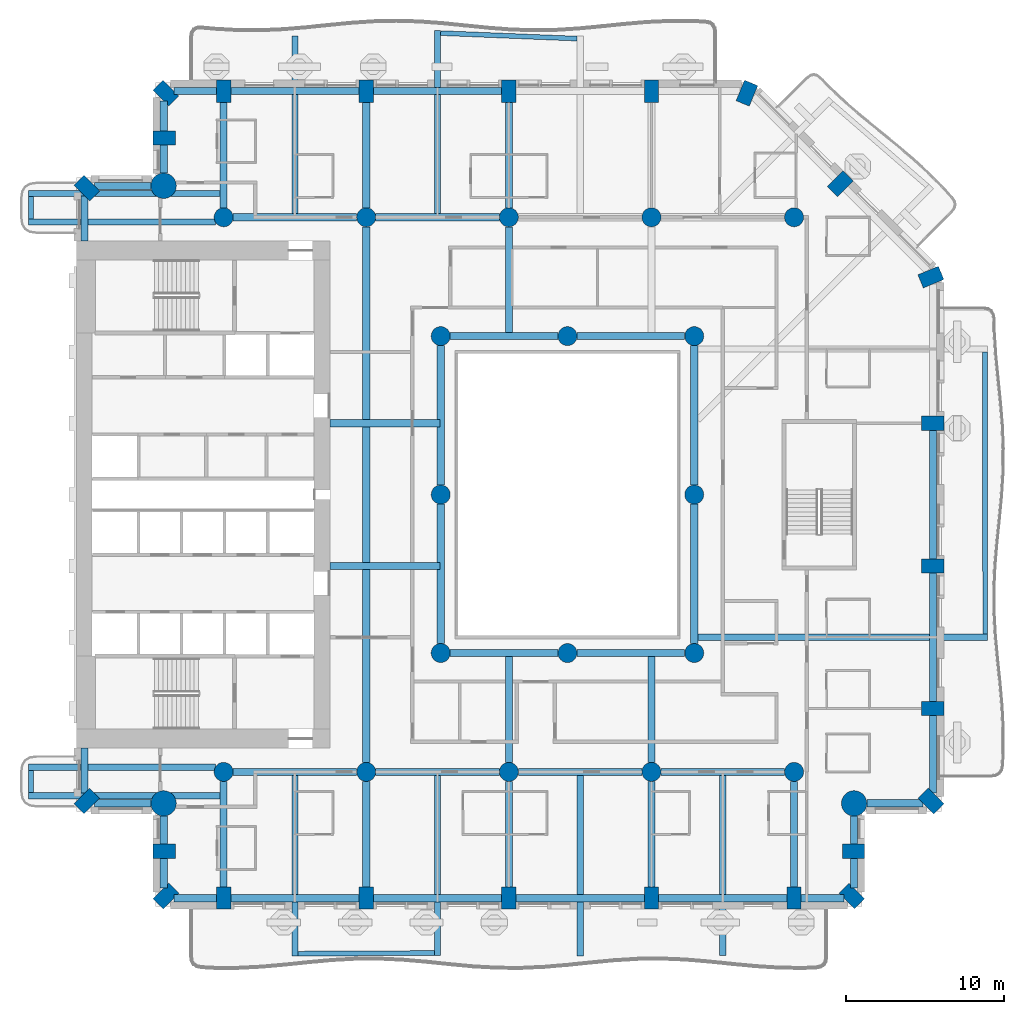
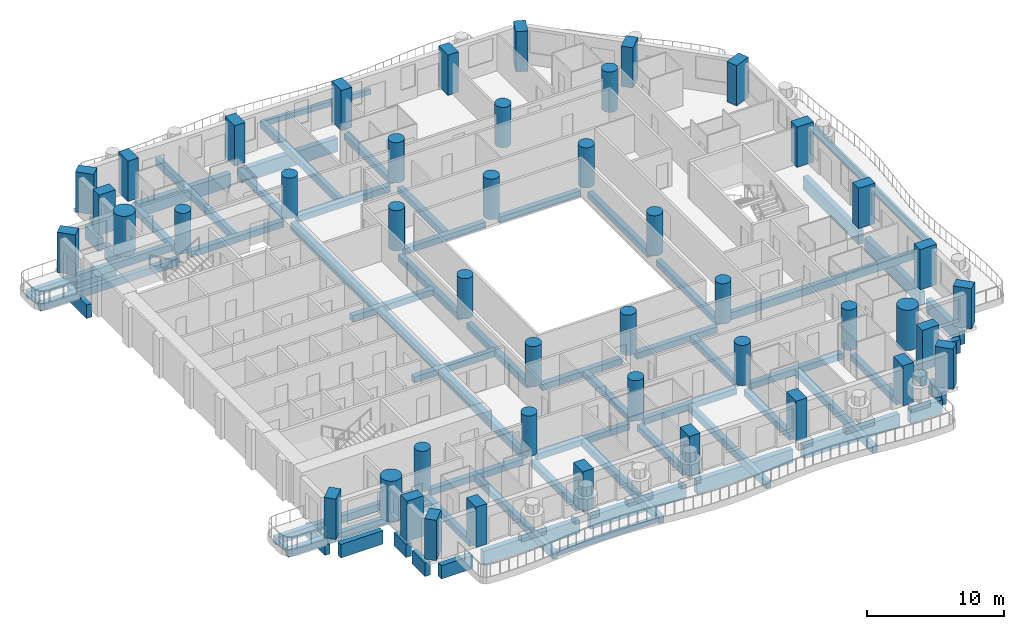
# One storey, part 1 of 20: 69 beams, 45 columns.
"""IFC4 building model written with IfcOpenShell, lengths in metres."""

from ifc_helpers import new_model, si_unit, direction, frame, origin, origin_2d, place, context, subcontext, project, spatial, rectangle, circle, extrude, material, material_profile, profile_set, type_object, element, save


model = new_model("IFC4")

# Units and contexts
model_context = context("Model", 3, precision=1e-05, world=origin(), true_north=direction((0.0, 1.0)))
body_context = subcontext(model_context, "Body", "Model", "MODEL_VIEW")
ifc_project = project(units=[si_unit("LENGTHUNIT", "METRE"), si_unit("AREAUNIT", "SQUARE_METRE"), si_unit("VOLUMEUNIT", "CUBIC_METRE"), si_unit("PLANEANGLEUNIT", "RADIAN"), si_unit("MASSUNIT", "GRAM", prefix="KILO")], contexts=[model_context])

# Site, building, storey
site_placement = place(None, origin())
site = spatial("IfcSite", under=ifc_project, at=site_placement, CompositionType="ELEMENT")
building_placement = place(site_placement, origin())
building = spatial("IfcBuilding", under=site, at=building_placement, Name="Cypress Arch Tower", CompositionType="ELEMENT")
storey_placement = place(building_placement, frame((0.0, 0.0, 95.10009765625)))
storey = spatial("IfcBuildingStorey", under=building, at=storey_placement, Name="L18", CompositionType="ELEMENT", Elevation=95.10009765625)

# Columns
ifc_material_1 = material(Name="Concrete C80/95", Category="concrete")
ifc_material_profile_1 = material_profile(ifc_material_1, rectangle(XDim=0.89990234375, YDim=1.39990234375, at=origin_2d()), Name="RC 900x1400")
ifc_profile_set_1 = profile_set([ifc_material_profile_1], Name="Concrete C80/95")
column_type_1 = type_object("IfcColumnType", Name="Column RC 900x1400 Concrete C80/95", PredefinedType="COLUMN", material=ifc_profile_set_1)
for number, where, z_axis, x_axis, name in (
    (1, (-29.3369140625, 19.3369140625, 0.0), (0.0, 0.0, 1.0), (-0.707106781187, -0.707106781187, 0.0), "Column L18 CA00"),
    (2, (-29.3369140625, -19.3369140625, 0.0), (0.0, 0.0, 1.0), (0.707106781187, -0.707106781187, 0.0), "Column L18 CA01"),
    (3, (-24.449951171875, -22.5, 0.0), (0.0, 0.0, 1.0), (0.0, -1.0, 0.0), "Column L18 CA03"),
    (4, (-24.3369140625, -25.3369140625, 0.0), (0.0, 0.0, 1.0), (0.707106781187, -0.707106781187, 0.0), "Column L18 CA04"),
    (5, (-20.699951171875, -25.449951171875, 0.0), (0.0, 0.0, 1.0), (1.0, 0.0, 0.0), "Column L18 CA05"),
    (6, (-11.699951171875, -25.449951171875, 0.0), (0.0, 0.0, 1.0), (1.0, 0.0, 0.0), "Column L18 CA06"),
    (7, (-2.699951171875, -25.449951171875, 0.0), (0.0, 0.0, 1.0), (1.0, 0.0, 0.0), "Column L18 CA07"),
    (8, (6.300048828125, -25.449951171875, 0.0), (0.0, 0.0, 1.0), (1.0, 0.0, 0.0), "Column L18 CA08"),
    (9, (15.300048828125, -25.449951171875, 0.0), (0.0, 0.0, 1.0), (1.0, 0.0, 0.0), "Column L18 CA09"),
    (10, (18.936767578125, -25.3369140625, 0.0), (0.0, 0.0, 1.0), (0.707106781187, 0.707106781187, 0.0), "Column L18 CA10"),
    (11, (19.050048828125, -22.5, 0.0), (0.0, 0.0, 1.0), (0.0, 1.0, 0.0), "Column L18 CA11"),
    (12, (23.936767578125, -19.3369140625, 0.0), (0.0, 0.0, 1.0), (0.707106781187, 0.707106781187, 0.0), "Column L18 CA13"),
    (13, (24.050048828125, -13.5, 0.0), (0.0, 0.0, 1.0), (0.0, 1.0, 0.0), "Column L18 CA14"),
    (14, (24.050048828125, -4.5, 0.0), (0.0, 0.0, 1.0), (0.0, 1.0, 0.0), "Column L18 CA15"),
    (15, (24.050048828125, 4.5, 0.0), (0.0, 0.0, 1.0), (0.0, 1.0, 0.0), "Column L18 CA16"),
    (16, (23.93115234375, 13.722900390625, 0.0), (0.0, 0.0, 1.0), (-0.382683496864, 0.923879505795, 0.0), "Column L18 CA17"),
    (17, (18.211181640625, 19.611083984375, 0.0), (0.0, 0.0, 1.0), (-0.707106781187, 0.707106781187, 0.0), "Column L18 CA18"),
    (18, (12.322998046875, 25.3310546875, 0.0), (0.0, 0.0, 1.0), (-0.923879505795, 0.382683496864, 0.0), "Column L18 CA19"),
    (19, (6.300048828125, 25.449951171875, 0.0), (0.0, 0.0, 1.0), (-1.0, 0.0, 0.0), "Column L18 CA20"),
    (20, (-2.699951171875, 25.449951171875, 0.0), (0.0, 0.0, 1.0), (-1.0, 0.0, 0.0), "Column L18 CA21"),
    (21, (-11.699951171875, 25.449951171875, 0.0), (0.0, 0.0, 1.0), (-1.0, 0.0, 0.0), "Column L18 CA22"),
    (22, (-20.699951171875, 25.449951171875, 0.0), (0.0, 0.0, 1.0), (-1.0, 0.0, 0.0), "Column L18 CA23"),
    (23, (-24.3369140625, 25.3369140625, 0.0), (0.0, 0.0, 1.0), (-0.707106781187, -0.707106781187, 0.0), "Column L18 CA24"),
    (24, (-24.449951171875, 22.5, 0.0), (0.0, 0.0, 1.0), (0.0, -1.0, 0.0), "Column L18 CA25"),
):
    element("IfcColumn", number, at=place(storey_placement, frame(where, z_axis=z_axis, x_axis=x_axis)), inside=storey, type_object=column_type_1, Name=name, PredefinedType="COLUMN", context=body_context, shape_type="SweptSolid", body=[
        extrude(rectangle(XDim=0.89990234375, YDim=1.39990234375, at=origin_2d()), origin(), (0.0, 0.0, 1.0), 3.599853515625),
    ])
ifc_material_2 = material(Name="Concrete C80/95", Category="concrete")
ifc_material_profile_2 = material_profile(ifc_material_2, circle(Radius=0.60009765625, at=origin_2d()), Name="RC D1200")
ifc_profile_set_2 = profile_set([ifc_material_profile_2], Name="Concrete C80/95")
column_type_2 = type_object("IfcColumnType", Name="Column RC D1200 Concrete C80/95", PredefinedType="COLUMN", material=ifc_profile_set_2)
for number, where, z_axis, x_axis, name in (
    (25, (-20.699951171875, -17.5, 0.0), (0.0, 0.0, 1.0), (1.0, 0.0, 0.0), "Column L18 CIC-L18-CI3S"),
    (26, (-11.699951171875, -17.5, 0.0), (0.0, 0.0, 1.0), (1.0, 0.0, 0.0), "Column L18 CIC-L18-CI4S"),
    (27, (-2.699951171875, -17.5, 0.0), (0.0, 0.0, 1.0), (1.0, 0.0, 0.0), "Column L18 CIC-L18-CI5S"),
    (28, (6.300048828125, -17.5, 0.0), (0.0, 0.0, 1.0), (1.0, 0.0, 0.0), "Column L18 CIC-L18-CI6S"),
    (29, (15.300048828125, -17.5, 0.0), (0.0, 0.0, 1.0), (1.0, 0.0, 0.0), "Column L18 CIC-L18-CI7S"),
    (30, (-20.699951171875, 17.5, 0.0), (0.0, 0.0, 1.0), (1.0, 0.0, 0.0), "Column L18 CIC-L18-CI3N"),
    (31, (-11.699951171875, 17.5, 0.0), (0.0, 0.0, 1.0), (1.0, 0.0, 0.0), "Column L18 CIC-L18-CI4N"),
    (32, (-2.699951171875, 17.5, 0.0), (0.0, 0.0, 1.0), (1.0, 0.0, 0.0), "Column L18 CIC-L18-CI5N"),
    (33, (6.300048828125, 17.5, 0.0), (0.0, 0.0, 1.0), (1.0, 0.0, 0.0), "Column L18 CIC-L18-CI6N"),
    (34, (15.300048828125, 17.5, 0.0), (0.0, 0.0, 1.0), (1.0, 0.0, 0.0), "Column L18 CIC-L18-CI7N"),
    (35, (-7.0, -10.0, 0.0), (0.0, 0.0, 1.0), (1.0, 0.0, 0.0), "Column L18 RNG-L18-G-7-10"),
    (36, (-7.0, 0.0, 0.0), (0.0, 0.0, 1.0), (1.0, 0.0, 0.0), "Column L18 RNG-L18-G-7+0"),
    (37, (-7.0, 10.0, 0.0), (0.0, 0.0, 1.0), (1.0, 0.0, 0.0), "Column L18 RNG-L18-G-7+10"),
    (38, (1.0, -10.0, 0.0), (0.0, 0.0, 1.0), (1.0, 0.0, 0.0), "Column L18 RNG-L18-G+1-10"),
    (39, (1.0, 10.0, 0.0), (0.0, 0.0, 1.0), (1.0, 0.0, 0.0), "Column L18 RNG-L18-G+1+10"),
    (40, (9.0, -10.0, 0.0), (0.0, 0.0, 1.0), (1.0, 0.0, 0.0), "Column L18 RNG-L18-G+9-10"),
    (41, (9.0, 0.0, 0.0), (0.0, 0.0, 1.0), (1.0, 0.0, 0.0), "Column L18 RNG-L18-G+9+0"),
    (42, (9.0, 10.0, 0.0), (0.0, 0.0, 1.0), (1.0, 0.0, 0.0), "Column L18 RNG-L18-G+9+10"),
):
    element("IfcColumn", number, at=place(storey_placement, frame(where, z_axis=z_axis, x_axis=x_axis)), inside=storey, type_object=column_type_2, Name=name, PredefinedType="COLUMN", context=body_context, shape_type="SweptSolid", body=[
        extrude(circle(Radius=0.60009765625, at=origin_2d()), origin(), (0.0, 0.0, 1.0), 3.599853515625),
    ])
ifc_material_3 = material(Name="Concrete C80/95", Category="concrete")
ifc_material_profile_3 = material_profile(ifc_material_3, circle(Radius=0.800048828125, at=origin_2d()), Name="RC D1600")
ifc_profile_set_3 = profile_set([ifc_material_profile_3], Name="Concrete C80/95")
column_type_3 = type_object("IfcColumnType", Name="Mega-column RC D1600 Concrete C80/95", PredefinedType="COLUMN", material=ifc_profile_set_3)
for number, where, z_axis, x_axis, name in (
    (43, (-24.48779296875, -19.48779296875, 0.0), (0.0, 0.0, 1.0), (1.0, 0.0, 0.0), "Column L18 CA02"),
    (44, (19.087890625, -19.48779296875, 0.0), (0.0, 0.0, 1.0), (1.0, 0.0, 0.0), "Column L18 CA12"),
    (45, (-24.48779296875, 19.48779296875, 0.0), (0.0, 0.0, 1.0), (1.0, 0.0, 0.0), "Column L18 CA26"),
):
    element("IfcColumn", number, at=place(storey_placement, frame(where, z_axis=z_axis, x_axis=x_axis)), inside=storey, type_object=column_type_3, Name=name, PredefinedType="COLUMN", context=body_context, shape_type="SweptSolid", body=[
        extrude(circle(Radius=0.800048828125, at=origin_2d()), origin(), (0.0, 0.0, 1.0), 3.599853515625),
    ])

# Beams
ifc_material_4 = material(Name="Concrete C50/60", Category="concrete")
ifc_material_profile_4 = material_profile(ifc_material_4, rectangle(XDim=0.300048828125, YDim=0.449951171875, at=origin_2d()), Name="RC 300x450")
ifc_profile_set_4 = profile_set([ifc_material_profile_4], Name="Concrete C50/60")
beam_type_1 = type_object("IfcBeamType", Name="Balcony edge beam RC 300x450 Concrete C50/60", PredefinedType="BEAM", material=ifc_profile_set_4)
beam_1_placement = place(storey_placement, frame((-16.0, -28.970458984375, -0.525146484375), z_axis=(0.999988762519, 0.004740763168, 0.0), x_axis=(-0.004740763168, 0.999988762519, 0.0)))
element("IfcBeam", 46, at=beam_1_placement, inside=storey, type_object=beam_type_1, Name="Balcony edge beam L18 A03", PredefinedType="BEAM", context=body_context, shape_type="SweptSolid", body=[
    extrude(rectangle(XDim=0.300048828125, YDim=0.449951171875, at=origin_2d()), origin(), (0.0, 0.0, 1.0), 8.60009765625),
])
beam_2_placement = place(storey_placement, frame((1.60009765625, 28.774658203125, -0.525146484375), z_axis=(-0.99918392243, 0.040391696631, 0.0), x_axis=(-0.040391696631, -0.99918392243, 0.0)))
element("IfcBeam", 47, at=beam_2_placement, inside=storey, type_object=beam_type_1, Name="Balcony edge beam L18 A08", PredefinedType="BEAM", context=body_context, shape_type="SweptSolid", body=[
    extrude(rectangle(XDim=0.300048828125, YDim=0.449951171875, at=origin_2d()), origin(), (0.0, 0.0, 1.0), 8.607177734375),
])
ifc_material_5 = material(Name="Concrete C50/60", Category="concrete")
ifc_material_profile_5 = material_profile(ifc_material_5, rectangle(XDim=0.300048828125, YDim=0.64990234375, at=origin_2d()), Name="RC 300x650")
ifc_profile_set_5 = profile_set([ifc_material_profile_5], Name="Concrete C50/60")
beam_type_2 = type_object("IfcBeamType", Name="Balcony edge beam RC 300x650 Concrete C50/60", PredefinedType="BEAM", material=ifc_profile_set_5)
beam_3_placement = place(storey_placement, frame((27.3583984375, -8.800048828125, -0.625), z_axis=(-0.000576455798, 0.999999833849, 0.0), x_axis=(-0.999999833849, -0.000576455798, 0.0)))
element("IfcBeam", 48, at=beam_3_placement, inside=storey, type_object=beam_type_2, Name="Balcony edge beam L18 A06", PredefinedType="BEAM", context=body_context, shape_type="SweptSolid", body=[
    extrude(rectangle(XDim=0.300048828125, YDim=0.64990234375, at=origin_2d()), origin(), (0.0, 0.0, 1.0), 17.787841796875),
])
ifc_material_6 = material(Name="Concrete C50/60", Category="concrete")
ifc_material_profile_6 = material_profile(ifc_material_6, rectangle(XDim=0.300048828125, YDim=0.39990234375, at=origin_2d()), Name="RC 300x400")
ifc_profile_set_6 = profile_set([ifc_material_profile_6], Name="Concrete C50/60")
beam_type_3 = type_object("IfcBeamType", Name="Balcony stub beam RC 300x400 Concrete C50/60", PredefinedType="BEAM", material=ifc_profile_set_6)
for number, where, z_axis, x_axis, name in (
    (49, (-32.85009765625, 18.800048828125, -0.5), (0.0, -1.0, 0.0), (1.0, 0.0, 0.0), "Balcony stub beam L18 A00W0"),
    (50, (-32.85009765625, -17.39990234375, -0.5), (0.0, -1.0, 0.0), (1.0, 0.0, 0.0), "Balcony stub beam L18 A00W1"),
):
    element("IfcBeam", number, at=place(storey_placement, frame(where, z_axis=z_axis, x_axis=x_axis)), inside=storey, type_object=beam_type_3, Name=name, PredefinedType="BEAM", context=body_context, shape_type="SweptSolid", body=[
        extrude(rectangle(XDim=0.300048828125, YDim=0.39990234375, at=origin_2d()), origin(), (0.0, 0.0, 1.0), 1.400146484375),
    ])
ifc_material_7 = material(Name="Concrete C50/60", Category="concrete")
ifc_material_profile_7 = material_profile(ifc_material_7, rectangle(XDim=0.39990234375, YDim=0.64990234375, at=origin_2d()), Name="RC 400x650")
ifc_profile_set_7 = profile_set([ifc_material_profile_7], Name="Concrete C50/60")
beam_type_4 = type_object("IfcBeamType", Name="Cantilever beam RC 400x650 Concrete C50/60", PredefinedType="BEAM", material=ifc_profile_set_7)
beam_4_placement = place(storey_placement, frame((-20.925048828125, 19.0, -0.625), z_axis=(-1.0, 0.0, 0.0), x_axis=(0.0, -1.0, 0.0)))
element("IfcBeam", 51, at=beam_4_placement, inside=storey, type_object=beam_type_4, Name="Cantilever beam L18 A00 1", PredefinedType="BEAM", context=body_context, shape_type="SweptSolid", body=[
    extrude(rectangle(XDim=0.39990234375, YDim=0.64990234375, at=origin_2d()), origin(), (0.0, 0.0, 1.0), 12.074951171875),
])
for number, where, z_axis, x_axis, name in (
    (52, (-21.219482421875, 17.199951171875, -0.625), (-1.0, 0.0, 0.0), (0.0, -1.0, 0.0), "Cantilever beam L18 A00 2"),
    (53, (-21.219482421875, -17.199951171875, -0.625), (-1.0, 0.0, 0.0), (0.0, -1.0, 0.0), "Cantilever beam L18 A00 1"),
):
    element("IfcBeam", number, at=place(storey_placement, frame(where, z_axis=z_axis, x_axis=x_axis)), inside=storey, type_object=beam_type_4, Name=name, PredefinedType="BEAM", context=body_context, shape_type="SweptSolid", body=[
        extrude(rectangle(XDim=0.39990234375, YDim=0.64990234375, at=origin_2d()), origin(), (0.0, 0.0, 1.0), 11.780517578125),
    ])
beam_5_placement = place(storey_placement, frame((-20.925048828125, -19.0, -0.625), z_axis=(-1.0, 0.0, 0.0), x_axis=(0.0, -1.0, 0.0)))
element("IfcBeam", 54, at=beam_5_placement, inside=storey, type_object=beam_type_4, Name="Cantilever beam L18 A00 2", PredefinedType="BEAM", context=body_context, shape_type="SweptSolid", body=[
    extrude(rectangle(XDim=0.39990234375, YDim=0.64990234375, at=origin_2d()), origin(), (0.0, 0.0, 1.0), 12.074951171875),
])
beam_6_placement = place(storey_placement, frame((-16.199951171875, -17.72509765625, -0.625), z_axis=(0.0, -1.0, 0.0), x_axis=(1.0, 0.0, 0.0)))
element("IfcBeam", 55, at=beam_6_placement, inside=storey, type_object=beam_type_4, Name="Cantilever beam L18 A03 1", PredefinedType="BEAM", context=body_context, shape_type="SweptSolid", body=[
    extrude(rectangle(XDim=0.39990234375, YDim=0.64990234375, at=origin_2d()), origin(), (0.0, 0.0, 1.0), 11.3955078125),
])
beam_7_placement = place(storey_placement, frame((-7.199951171875, -17.72509765625, -0.625), z_axis=(0.0, -1.0, 0.0), x_axis=(1.0, 0.0, 0.0)))
element("IfcBeam", 56, at=beam_7_placement, inside=storey, type_object=beam_type_4, Name="Cantilever beam L18 A03 2", PredefinedType="BEAM", context=body_context, shape_type="SweptSolid", body=[
    extrude(rectangle(XDim=0.39990234375, YDim=0.64990234375, at=origin_2d()), origin(), (0.0, 0.0, 1.0), 11.3544921875),
])
beam_8_placement = place(storey_placement, frame((1.800048828125, -17.72509765625, -0.625), z_axis=(0.0, -1.0, 0.0), x_axis=(1.0, 0.0, 0.0)))
element("IfcBeam", 57, at=beam_8_placement, inside=storey, type_object=beam_type_4, Name="Cantilever beam L18 A03 3", PredefinedType="BEAM", context=body_context, shape_type="SweptSolid", body=[
    extrude(rectangle(XDim=0.39990234375, YDim=0.64990234375, at=origin_2d()), origin(), (0.0, 0.0, 1.0), 11.39501953125),
])
beam_9_placement = place(storey_placement, frame((10.800048828125, -17.72509765625, -0.625), z_axis=(0.0, -1.0, 0.0), x_axis=(1.0, 0.0, 0.0)))
element("IfcBeam", 58, at=beam_9_placement, inside=storey, type_object=beam_type_4, Name="Cantilever beam L18 A03 4", PredefinedType="BEAM", context=body_context, shape_type="SweptSolid", body=[
    extrude(rectangle(XDim=0.39990234375, YDim=0.64990234375, at=origin_2d()), origin(), (0.0, 0.0, 1.0), 11.35498046875),
])
beam_10_placement = place(storey_placement, frame((9.22509765625, -9.0, -0.625), z_axis=(1.0, 0.0, 0.0), x_axis=(0.0, 1.0, 0.0)))
element("IfcBeam", 59, at=beam_10_placement, inside=storey, type_object=beam_type_4, Name="Cantilever beam L18 A06 1", PredefinedType="BEAM", context=body_context, shape_type="SweptSolid", body=[
    extrude(rectangle(XDim=0.39990234375, YDim=0.64990234375, at=origin_2d()), origin(), (0.0, 0.0, 1.0), 18.283447265625),
])
beam_11_placement = place(storey_placement, frame((-7.199951171875, 17.72509765625, -0.625), z_axis=(0.0, 1.0, 0.0), x_axis=(-1.0, 0.0, 0.0)))
element("IfcBeam", 60, at=beam_11_placement, inside=storey, type_object=beam_type_4, Name="Cantilever beam L18 A08 2", PredefinedType="BEAM", context=body_context, shape_type="SweptSolid", body=[
    extrude(rectangle(XDim=0.39990234375, YDim=0.64990234375, at=origin_2d()), origin(), (0.0, 0.0, 1.0), 11.54736328125),
])
beam_12_placement = place(storey_placement, frame((-16.199951171875, 17.72509765625, -0.625), z_axis=(0.0, 1.0, 0.0), x_axis=(-1.0, 0.0, 0.0)))
element("IfcBeam", 61, at=beam_12_placement, inside=storey, type_object=beam_type_4, Name="Cantilever beam L18 A08 3", PredefinedType="BEAM", context=body_context, shape_type="SweptSolid", body=[
    extrude(rectangle(XDim=0.39990234375, YDim=0.64990234375, at=origin_2d()), origin(), (0.0, 0.0, 1.0), 11.2041015625),
])
ifc_material_8 = material(Name="Concrete C50/60", Category="concrete")
ifc_material_profile_8 = material_profile(ifc_material_8, rectangle(XDim=0.449951171875, YDim=0.550048828125, at=origin_2d()), Name="RC 450x550")
ifc_profile_set_8 = profile_set([ifc_material_profile_8], Name="Concrete C50/60")
beam_type_5 = type_object("IfcBeamType", Name="Floor beam RC 450x550 Concrete C50/60", PredefinedType="BEAM", material=ifc_profile_set_8)
for number, where, z_axis, x_axis, name in (
    (62, (-7.0, -9.39990234375, -0.5751953125), (0.0, 1.0, 0.0), (-1.0, 0.0, 0.0), "Floor beam L18 RB001"),
    (63, (-7.0, 0.60009765625, -0.5751953125), (0.0, 1.0, 0.0), (-1.0, 0.0, 0.0), "Floor beam L18 RB002"),
    (64, (9.0, -9.39990234375, -0.5751953125), (0.0, 1.0, 0.0), (-1.0, 0.0, 0.0), "Floor beam L18 RB003"),
    (65, (9.0, 0.60009765625, -0.5751953125), (0.0, 1.0, 0.0), (-1.0, 0.0, 0.0), "Floor beam L18 RB004"),
):
    element("IfcBeam", number, at=place(storey_placement, frame(where, z_axis=z_axis, x_axis=x_axis)), inside=storey, type_object=beam_type_5, Name=name, PredefinedType="BEAM", context=body_context, shape_type="SweptSolid", body=[
        extrude(rectangle(XDim=0.449951171875, YDim=0.550048828125, at=origin_2d()), origin(), (0.0, 0.0, 1.0), 8.7998046875),
    ])
for number, where, z_axis, x_axis, name in (
    (66, (-6.39990234375, -10.0, -0.5751953125), (1.0, 0.0, 0.0), (0.0, 1.0, 0.0), "Floor beam L18 RB005"),
    (67, (1.60009765625, -10.0, -0.5751953125), (1.0, 0.0, 0.0), (0.0, 1.0, 0.0), "Floor beam L18 RB006"),
    (68, (-6.39990234375, 10.0, -0.5751953125), (1.0, 0.0, 0.0), (0.0, 1.0, 0.0), "Floor beam L18 RB007"),
    (69, (1.60009765625, 10.0, -0.5751953125), (1.0, 0.0, 0.0), (0.0, 1.0, 0.0), "Floor beam L18 RB008"),
):
    element("IfcBeam", number, at=place(storey_placement, frame(where, z_axis=z_axis, x_axis=x_axis)), inside=storey, type_object=beam_type_5, Name=name, PredefinedType="BEAM", context=body_context, shape_type="SweptSolid", body=[
        extrude(rectangle(XDim=0.449951171875, YDim=0.550048828125, at=origin_2d()), origin(), (0.0, 0.0, 1.0), 6.7998046875),
    ])
for number, where, z_axis, x_axis, name in (
    (70, (-20.10009765625, -17.5, -0.5751953125), (1.0, 0.0, 0.0), (0.0, 1.0, 0.0), "Floor beam L18 FB009"),
    (71, (-11.10009765625, -17.5, -0.5751953125), (1.0, 0.0, 0.0), (0.0, 1.0, 0.0), "Floor beam L18 FB010"),
    (72, (-2.10009765625, -17.5, -0.5751953125), (1.0, 0.0, 0.0), (0.0, 1.0, 0.0), "Floor beam L18 FB011"),
    (73, (6.89990234375, -17.5, -0.5751953125), (1.0, 0.0, 0.0), (0.0, 1.0, 0.0), "Floor beam L18 FB012"),
):
    element("IfcBeam", number, at=place(storey_placement, frame(where, z_axis=z_axis, x_axis=x_axis)), inside=storey, type_object=beam_type_5, Name=name, PredefinedType="BEAM", context=body_context, shape_type="SweptSolid", body=[
        extrude(rectangle(XDim=0.449951171875, YDim=0.550048828125, at=origin_2d()), origin(), (0.0, 0.0, 1.0), 7.800048828125),
    ])
for number, where, z_axis, x_axis, name in (
    (74, (-14.0, -4.5, -0.5751953125), (1.0, 0.0, 0.0), (0.0, 1.0, 0.0), "Floor beam L18 FB013"),
    (75, (-14.0, 4.5, -0.5751953125), (1.0, 0.0, 0.0), (0.0, 1.0, 0.0), "Floor beam L18 FB014"),
):
    element("IfcBeam", number, at=place(storey_placement, frame(where, z_axis=z_axis, x_axis=x_axis)), inside=storey, type_object=beam_type_5, Name=name, PredefinedType="BEAM", context=body_context, shape_type="SweptSolid", body=[
        extrude(rectangle(XDim=0.449951171875, YDim=0.550048828125, at=origin_2d()), origin(), (0.0, 0.0, 1.0), 6.949951171875),
    ])
for number, where, z_axis, x_axis, name in (
    (76, (-20.10009765625, 17.5, -0.5751953125), (1.0, 0.0, 0.0), (0.0, 1.0, 0.0), "Floor beam L18 FB015"),
    (77, (-11.10009765625, 17.5, -0.5751953125), (1.0, 0.0, 0.0), (0.0, 1.0, 0.0), "Floor beam L18 FB016"),
):
    element("IfcBeam", number, at=place(storey_placement, frame(where, z_axis=z_axis, x_axis=x_axis)), inside=storey, type_object=beam_type_5, Name=name, PredefinedType="BEAM", context=body_context, shape_type="SweptSolid", body=[
        extrude(rectangle(XDim=0.449951171875, YDim=0.550048828125, at=origin_2d()), origin(), (0.0, 0.0, 1.0), 7.800048828125),
    ])
for number, where, z_axis, x_axis, name in (
    (78, (-20.699951171875, -24.75, -0.5751953125), (0.0, 1.0, 0.0), (-1.0, 0.0, 0.0), "Floor beam L18 FB019"),
    (79, (-20.699951171875, 18.10009765625, -0.5751953125), (0.0, 1.0, 0.0), (-1.0, 0.0, 0.0), "Floor beam L18 FB020"),
    (80, (-11.699951171875, -24.75, -0.5751953125), (0.0, 1.0, 0.0), (-1.0, 0.0, 0.0), "Floor beam L18 FB021"),
):
    element("IfcBeam", number, at=place(storey_placement, frame(where, z_axis=z_axis, x_axis=x_axis)), inside=storey, type_object=beam_type_5, Name=name, PredefinedType="BEAM", context=body_context, shape_type="SweptSolid", body=[
        extrude(rectangle(XDim=0.449951171875, YDim=0.550048828125, at=origin_2d()), origin(), (0.0, 0.0, 1.0), 6.64990234375),
    ])
beam_13_placement = place(storey_placement, frame((-11.699951171875, -4.27490234375, -0.5751953125), z_axis=(0.0, 1.0, 0.0), x_axis=(-1.0, 0.0, 0.0)))
element("IfcBeam", 81, at=beam_13_placement, inside=storey, type_object=beam_type_5, Name="Floor beam L18 FB023", PredefinedType="BEAM", context=body_context, shape_type="SweptSolid", body=[
    extrude(rectangle(XDim=0.449951171875, YDim=0.550048828125, at=origin_2d()), origin(), (0.0, 0.0, 1.0), 8.5498046875),
])
for number, where, z_axis, x_axis, name in (
    (82, (-11.699951171875, 18.10009765625, -0.5751953125), (0.0, 1.0, 0.0), (-1.0, 0.0, 0.0), "Floor beam L18 FB025"),
    (83, (-2.699951171875, -24.75, -0.5751953125), (0.0, 1.0, 0.0), (-1.0, 0.0, 0.0), "Floor beam L18 FB026"),
):
    element("IfcBeam", number, at=place(storey_placement, frame(where, z_axis=z_axis, x_axis=x_axis)), inside=storey, type_object=beam_type_5, Name=name, PredefinedType="BEAM", context=body_context, shape_type="SweptSolid", body=[
        extrude(rectangle(XDim=0.449951171875, YDim=0.550048828125, at=origin_2d()), origin(), (0.0, 0.0, 1.0), 6.64990234375),
    ])
for number, where, z_axis, x_axis, name in (
    (84, (-2.699951171875, -16.89990234375, -0.5751953125), (0.0, 1.0, 0.0), (-1.0, 0.0, 0.0), "Floor beam L18 FB027"),
    (85, (-2.699951171875, 10.22509765625, -0.5751953125), (0.0, 1.0, 0.0), (-1.0, 0.0, 0.0), "Floor beam L18 FB028"),
):
    element("IfcBeam", number, at=place(storey_placement, frame(where, z_axis=z_axis, x_axis=x_axis)), inside=storey, type_object=beam_type_5, Name=name, PredefinedType="BEAM", context=body_context, shape_type="SweptSolid", body=[
        extrude(rectangle(XDim=0.449951171875, YDim=0.550048828125, at=origin_2d()), origin(), (0.0, 0.0, 1.0), 6.6748046875),
    ])
for number, where, z_axis, x_axis, name in (
    (86, (-2.699951171875, 18.10009765625, -0.5751953125), (0.0, 1.0, 0.0), (-1.0, 0.0, 0.0), "Floor beam L18 FB029"),
    (87, (6.300048828125, -24.75, -0.5751953125), (0.0, 1.0, 0.0), (-1.0, 0.0, 0.0), "Floor beam L18 FB030"),
):
    element("IfcBeam", number, at=place(storey_placement, frame(where, z_axis=z_axis, x_axis=x_axis)), inside=storey, type_object=beam_type_5, Name=name, PredefinedType="BEAM", context=body_context, shape_type="SweptSolid", body=[
        extrude(rectangle(XDim=0.449951171875, YDim=0.550048828125, at=origin_2d()), origin(), (0.0, 0.0, 1.0), 6.64990234375),
    ])
beam_14_placement = place(storey_placement, frame((6.300048828125, -16.89990234375, -0.5751953125), z_axis=(0.0, 1.0, 0.0), x_axis=(-1.0, 0.0, 0.0)))
element("IfcBeam", 88, at=beam_14_placement, inside=storey, type_object=beam_type_5, Name="Floor beam L18 FB031", PredefinedType="BEAM", context=body_context, shape_type="SweptSolid", body=[
    extrude(rectangle(XDim=0.449951171875, YDim=0.550048828125, at=origin_2d()), origin(), (0.0, 0.0, 1.0), 6.6748046875),
])
beam_15_placement = place(storey_placement, frame((15.300048828125, -24.75, -0.5751953125), z_axis=(0.0, 1.0, 0.0), x_axis=(-1.0, 0.0, 0.0)))
element("IfcBeam", 89, at=beam_15_placement, inside=storey, type_object=beam_type_5, Name="Floor beam L18 FB034", PredefinedType="BEAM", context=body_context, shape_type="SweptSolid", body=[
    extrude(rectangle(XDim=0.449951171875, YDim=0.550048828125, at=origin_2d()), origin(), (0.0, 0.0, 1.0), 6.64990234375),
])
ifc_material_9 = material(Name="Concrete C50/60", Category="concrete")
ifc_material_profile_9 = material_profile(ifc_material_9, rectangle(XDim=0.5, YDim=0.699951171875, at=origin_2d()), Name="RC 500x700")
ifc_profile_set_9 = profile_set([ifc_material_profile_9], Name="Concrete C50/60")
beam_type_6 = type_object("IfcBeamType", Name="Floor beam RC 500x700 Concrete C50/60", PredefinedType="BEAM", material=ifc_profile_set_9)
for number, where, z_axis, x_axis, name in (
    (90, (-11.699951171875, -16.89990234375, -0.650146484375), (0.0, 1.0, 0.0), (-1.0, 0.0, 0.0), "Floor beam L18 FB022"),
    (91, (-11.699951171875, 4.72509765625, -0.650146484375), (0.0, 1.0, 0.0), (-1.0, 0.0, 0.0), "Floor beam L18 FB024"),
):
    element("IfcBeam", number, at=place(storey_placement, frame(where, z_axis=z_axis, x_axis=x_axis)), inside=storey, type_object=beam_type_6, Name=name, PredefinedType="BEAM", context=body_context, shape_type="SweptSolid", body=[
        extrude(rectangle(XDim=0.5, YDim=0.699951171875, at=origin_2d()), origin(), (0.0, 0.0, 1.0), 12.1748046875),
    ])
ifc_material_10 = material(Name="Concrete C50/60", Category="concrete")
ifc_material_profile_10 = material_profile(ifc_material_10, rectangle(XDim=0.449951171875, YDim=1.199951171875, at=origin_2d()), Name="RC 450x1200")
ifc_profile_set_10 = profile_set([ifc_material_profile_10], Name="Concrete C50/60")
beam_type_7 = type_object("IfcBeamType", Name="Spandrel beam RC 450x1200 Concrete C50/60", PredefinedType="SPANDREL", material=ifc_profile_set_10)
for number, where, z_axis, x_axis, name in (
    (92, (-29.47509765625, 18.838623046875, -1.550048828125), (0.0, -1.0, 0.0), (1.0, 0.0, 0.0), "Spandrel beam L18 BA00-0"),
    (93, (-29.47509765625, -16.0, -1.550048828125), (0.0, -1.0, 0.0), (1.0, 0.0, 0.0), "Spandrel beam L18 BA00-0"),
):
    element("IfcBeam", number, at=place(storey_placement, frame(where, z_axis=z_axis, x_axis=x_axis)), inside=storey, type_object=beam_type_7, Name=name, PredefinedType="SPANDREL", context=body_context, shape_type="SweptSolid", body=[
        extrude(rectangle(XDim=0.449951171875, YDim=1.199951171875, at=origin_2d()), origin(), (0.0, 0.0, 1.0), 2.838623046875),
    ])
beam_16_placement = place(storey_placement, frame((-28.838623046875, -19.47509765625, -1.550048828125), z_axis=(1.0, 0.0, 0.0), x_axis=(0.0, 1.0, 0.0)))
element("IfcBeam", 94, at=beam_16_placement, inside=storey, type_object=beam_type_7, Name="Spandrel beam L18 BA01-0", PredefinedType="SPANDREL", context=body_context, shape_type="SweptSolid", body=[
    extrude(rectangle(XDim=0.449951171875, YDim=1.199951171875, at=origin_2d()), origin(), (0.0, 0.0, 1.0), 3.551025390625),
])
beam_17_placement = place(storey_placement, frame((-24.47509765625, -20.28759765625, -1.550048828125), z_axis=(0.0, -1.0, 0.0), x_axis=(1.0, 0.0, 0.0)))
element("IfcBeam", 95, at=beam_17_placement, inside=storey, type_object=beam_type_7, Name="Spandrel beam L18 BA02-0", PredefinedType="SPANDREL", context=body_context, shape_type="SweptSolid", body=[
    extrude(rectangle(XDim=0.449951171875, YDim=1.199951171875, at=origin_2d()), origin(), (0.0, 0.0, 1.0), 1.762451171875),
])
beam_18_placement = place(storey_placement, frame((-24.47509765625, -22.949951171875, -1.550048828125), z_axis=(0.0, -1.0, 0.0), x_axis=(1.0, 0.0, 0.0)))
element("IfcBeam", 96, at=beam_18_placement, inside=storey, type_object=beam_type_7, Name="Spandrel beam L18 BA02-1", PredefinedType="SPANDREL", context=body_context, shape_type="SweptSolid", body=[
    extrude(rectangle(XDim=0.449951171875, YDim=1.199951171875, at=origin_2d()), origin(), (0.0, 0.0, 1.0), 1.888671875),
])
beam_19_placement = place(storey_placement, frame((-23.838623046875, -25.47509765625, -1.550048828125), z_axis=(1.0, 0.0, 0.0), x_axis=(0.0, 1.0, 0.0)))
element("IfcBeam", 97, at=beam_19_placement, inside=storey, type_object=beam_type_7, Name="Spandrel beam L18 BA03-0", PredefinedType="SPANDREL", context=body_context, shape_type="SweptSolid", body=[
    extrude(rectangle(XDim=0.449951171875, YDim=1.199951171875, at=origin_2d()), origin(), (0.0, 0.0, 1.0), 2.688720703125),
])
for number, where, z_axis, x_axis, name in (
    (98, (-20.25, -25.47509765625, -1.550048828125), (1.0, 0.0, 0.0), (0.0, 1.0, 0.0), "Spandrel beam L18 BA03-1"),
    (99, (-11.25, -25.47509765625, -1.550048828125), (1.0, 0.0, 0.0), (0.0, 1.0, 0.0), "Spandrel beam L18 BA03-2"),
    (100, (-2.25, -25.47509765625, -1.550048828125), (1.0, 0.0, 0.0), (0.0, 1.0, 0.0), "Spandrel beam L18 BA03-3"),
    (101, (6.75, -25.47509765625, -1.550048828125), (1.0, 0.0, 0.0), (0.0, 1.0, 0.0), "Spandrel beam L18 BA03-4"),
):
    element("IfcBeam", number, at=place(storey_placement, frame(where, z_axis=z_axis, x_axis=x_axis)), inside=storey, type_object=beam_type_7, Name=name, PredefinedType="SPANDREL", context=body_context, shape_type="SweptSolid", body=[
        extrude(rectangle(XDim=0.449951171875, YDim=1.199951171875, at=origin_2d()), origin(), (0.0, 0.0, 1.0), 8.10009765625),
    ])
beam_20_placement = place(storey_placement, frame((15.75, -25.47509765625, -1.550048828125), z_axis=(1.0, 0.0, 0.0), x_axis=(0.0, 1.0, 0.0)))
element("IfcBeam", 102, at=beam_20_placement, inside=storey, type_object=beam_type_7, Name="Spandrel beam L18 BA03-5", PredefinedType="SPANDREL", context=body_context, shape_type="SweptSolid", body=[
    extrude(rectangle(XDim=0.449951171875, YDim=1.199951171875, at=origin_2d()), origin(), (0.0, 0.0, 1.0), 2.688720703125),
])
beam_21_placement = place(storey_placement, frame((19.074951171875, -24.838623046875, -1.550048828125), z_axis=(0.0, 1.0, 0.0), x_axis=(-1.0, 0.0, 0.0)))
element("IfcBeam", 103, at=beam_21_placement, inside=storey, type_object=beam_type_7, Name="Spandrel beam L18 BA04-0", PredefinedType="SPANDREL", context=body_context, shape_type="SweptSolid", body=[
    extrude(rectangle(XDim=0.449951171875, YDim=1.199951171875, at=origin_2d()), origin(), (0.0, 0.0, 1.0), 1.888671875),
])
beam_22_placement = place(storey_placement, frame((19.074951171875, -22.050048828125, -1.550048828125), z_axis=(0.0, 1.0, 0.0), x_axis=(-1.0, 0.0, 0.0)))
element("IfcBeam", 104, at=beam_22_placement, inside=storey, type_object=beam_type_7, Name="Spandrel beam L18 BA04-1", PredefinedType="SPANDREL", context=body_context, shape_type="SweptSolid", body=[
    extrude(rectangle(XDim=0.449951171875, YDim=1.199951171875, at=origin_2d()), origin(), (0.0, 0.0, 1.0), 1.762451171875),
])
beam_23_placement = place(storey_placement, frame((19.887451171875, -19.47509765625, -1.550048828125), z_axis=(1.0, 0.0, 0.0), x_axis=(0.0, 1.0, 0.0)))
element("IfcBeam", 105, at=beam_23_placement, inside=storey, type_object=beam_type_7, Name="Spandrel beam L18 BA05-0", PredefinedType="SPANDREL", context=body_context, shape_type="SweptSolid", body=[
    extrude(rectangle(XDim=0.449951171875, YDim=1.199951171875, at=origin_2d()), origin(), (0.0, 0.0, 1.0), 3.55126953125),
])
beam_24_placement = place(storey_placement, frame((24.074951171875, -18.838623046875, -1.550048828125), z_axis=(0.0, 1.0, 0.0), x_axis=(-1.0, 0.0, 0.0)))
element("IfcBeam", 106, at=beam_24_placement, inside=storey, type_object=beam_type_7, Name="Spandrel beam L18 BA06-0", PredefinedType="SPANDREL", context=body_context, shape_type="SweptSolid", body=[
    extrude(rectangle(XDim=0.449951171875, YDim=1.199951171875, at=origin_2d()), origin(), (0.0, 0.0, 1.0), 4.888671875),
])
for number, where, z_axis, x_axis, name in (
    (107, (24.074951171875, -13.050048828125, -1.550048828125), (0.0, 1.0, 0.0), (-1.0, 0.0, 0.0), "Spandrel beam L18 BA06-1"),
    (108, (24.074951171875, -4.050048828125, -1.550048828125), (0.0, 1.0, 0.0), (-1.0, 0.0, 0.0), "Spandrel beam L18 BA06-2"),
    (109, (-3.14990234375, 25.47509765625, -1.550048828125), (-1.0, 0.0, 0.0), (0.0, -1.0, 0.0), "Spandrel beam L18 BA08-2"),
    (110, (-12.14990234375, 25.47509765625, -1.550048828125), (-1.0, 0.0, 0.0), (0.0, -1.0, 0.0), "Spandrel beam L18 BA08-3"),
):
    element("IfcBeam", number, at=place(storey_placement, frame(where, z_axis=z_axis, x_axis=x_axis)), inside=storey, type_object=beam_type_7, Name=name, PredefinedType="SPANDREL", context=body_context, shape_type="SweptSolid", body=[
        extrude(rectangle(XDim=0.449951171875, YDim=1.199951171875, at=origin_2d()), origin(), (0.0, 0.0, 1.0), 8.10009765625),
    ])
beam_25_placement = place(storey_placement, frame((-21.14990234375, 25.47509765625, -1.550048828125), z_axis=(-1.0, 0.0, 0.0), x_axis=(0.0, -1.0, 0.0)))
element("IfcBeam", 111, at=beam_25_placement, inside=storey, type_object=beam_type_7, Name="Spandrel beam L18 BA08-4", PredefinedType="SPANDREL", context=body_context, shape_type="SweptSolid", body=[
    extrude(rectangle(XDim=0.449951171875, YDim=1.199951171875, at=origin_2d()), origin(), (0.0, 0.0, 1.0), 2.688720703125),
])
beam_26_placement = place(storey_placement, frame((-24.47509765625, 24.838623046875, -1.550048828125), z_axis=(0.0, -1.0, 0.0), x_axis=(1.0, 0.0, 0.0)))
element("IfcBeam", 112, at=beam_26_placement, inside=storey, type_object=beam_type_7, Name="Spandrel beam L18 BA09-0", PredefinedType="SPANDREL", context=body_context, shape_type="SweptSolid", body=[
    extrude(rectangle(XDim=0.449951171875, YDim=1.199951171875, at=origin_2d()), origin(), (0.0, 0.0, 1.0), 1.888671875),
])
beam_27_placement = place(storey_placement, frame((-24.47509765625, 22.050048828125, -1.550048828125), z_axis=(0.0, -1.0, 0.0), x_axis=(1.0, 0.0, 0.0)))
element("IfcBeam", 113, at=beam_27_placement, inside=storey, type_object=beam_type_7, Name="Spandrel beam L18 BA09-1", PredefinedType="SPANDREL", context=body_context, shape_type="SweptSolid", body=[
    extrude(rectangle(XDim=0.449951171875, YDim=1.199951171875, at=origin_2d()), origin(), (0.0, 0.0, 1.0), 1.762451171875),
])
beam_28_placement = place(storey_placement, frame((-25.28759765625, 19.47509765625, -1.550048828125), z_axis=(-1.0, 0.0, 0.0), x_axis=(0.0, -1.0, 0.0)))
element("IfcBeam", 114, at=beam_28_placement, inside=storey, type_object=beam_type_7, Name="Spandrel beam L18 BA10-0", PredefinedType="SPANDREL", context=body_context, shape_type="SweptSolid", body=[
    extrude(rectangle(XDim=0.449951171875, YDim=1.199951171875, at=origin_2d()), origin(), (0.0, 0.0, 1.0), 3.551025390625),
])

save(model, "model.ifc")
